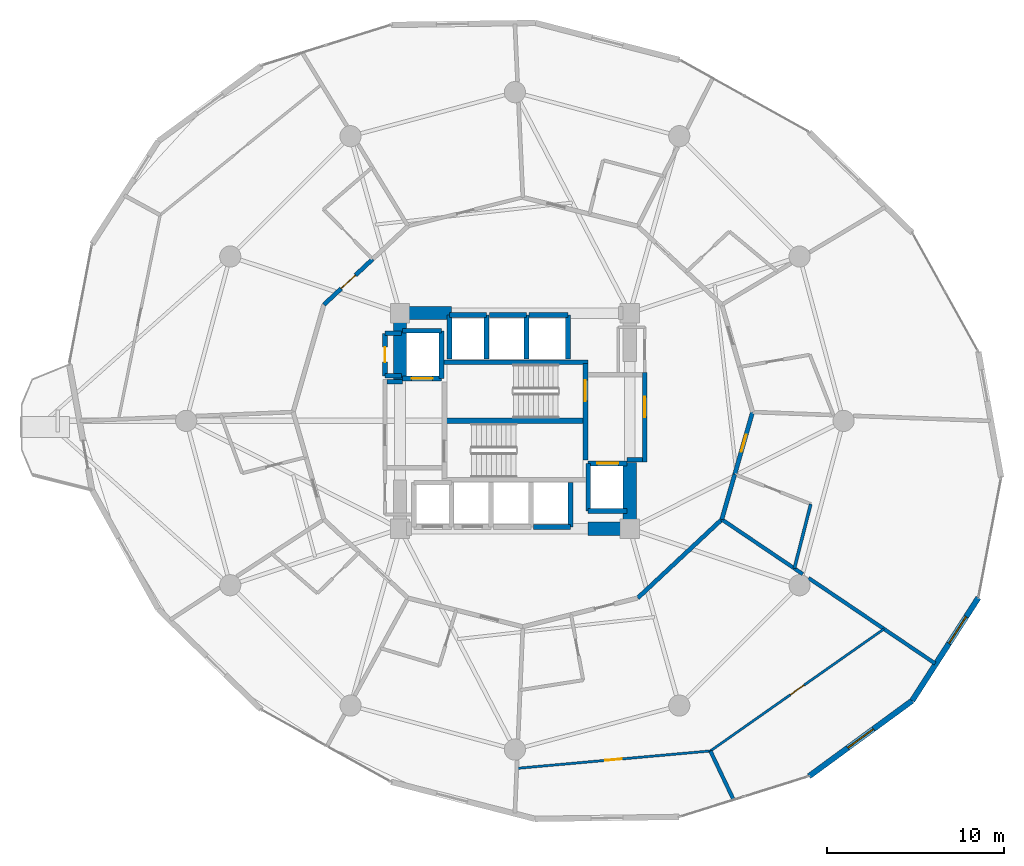
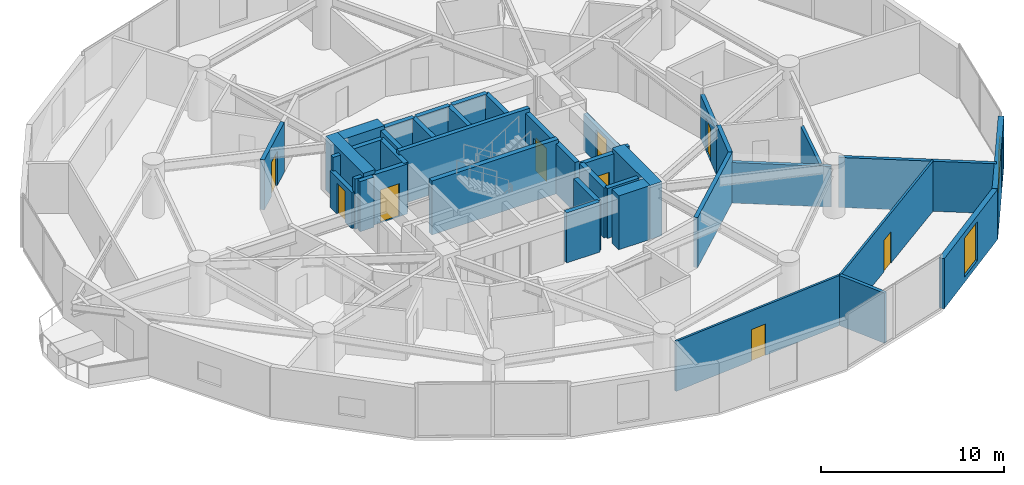
# One storey, part 18 of 22: 40 walls, 9 doors, 2 windows, 11 openings.
"""IFC4 building model written with IfcOpenShell, lengths in metres."""

from ifc_helpers import new_model, si_unit, direction, frame, frame_2d, origin, place, context, subcontext, project, spatial, rectangle, extrude, material, layer, layer_set, type_object, element, fill, save


model = new_model("IFC4")

# Units and contexts
model_context = context("Model", 3, precision=1e-05, world=origin(), true_north=direction((0.0, 1.0)))
body_context = subcontext(model_context, "Body", "Model", "MODEL_VIEW")
ifc_project = project(units=[si_unit("LENGTHUNIT", "METRE"), si_unit("AREAUNIT", "SQUARE_METRE"), si_unit("VOLUMEUNIT", "CUBIC_METRE"), si_unit("PLANEANGLEUNIT", "RADIAN"), si_unit("MASSUNIT", "GRAM", prefix="KILO")], contexts=[model_context])

# Site, building, storey
site_placement = place(None, origin())
site = spatial("IfcSite", under=ifc_project, at=site_placement, CompositionType="ELEMENT")
building_placement = place(site_placement, origin())
building = spatial("IfcBuilding", under=site, at=building_placement, Name="Solvirekh Grand Hotel", CompositionType="ELEMENT")
storey_placement = place(building_placement, frame((0.0, 0.0, 78.800048828125)))
storey = spatial("IfcBuildingStorey", under=building, at=storey_placement, Name="L19", CompositionType="ELEMENT", Elevation=78.800048828125)

# Walls
ifc_material_1 = material(Name="Concrete C50/60", Category="concrete")
ifc_layer_1 = layer(ifc_material_1, 0.35009765625)
ifc_layer_set_1 = layer_set([ifc_layer_1], Name="Concrete C50/60")
wall_type_1 = type_object("IfcWallType", Name="CoreDivWall_RC350", PredefinedType="SOLIDWALL", material=ifc_layer_set_1)
wall_1_placement = place(storey_placement, frame((-4.1298828125, 3.324951171875, 0.0), z_axis=(0.0, 0.0, 1.0), x_axis=(1.0, 0.0, 0.0)))
element("IfcWall", 1, at=wall_1_placement, inside=storey, type_object=wall_type_1, Name="L19 core stair box wall ST-N", PredefinedType="SOLIDWALL", context=body_context, shape_type="SweptSolid", body=[
    extrude(rectangle(XDim=8.259765625, YDim=0.25, at=frame_2d((4.1298828125, 0.0))), origin(), (0.0, 0.0, 1.0), 3.599853515625),
])
ifc_material_2 = material(Name="Concrete C40/50", Category="concrete")
ifc_layer_2 = layer(ifc_material_2, 0.280029296875)
ifc_layer_set_2 = layer_set([ifc_layer_2], Name="Concrete C40/50")
wall_type_2 = type_object("IfcWallType", Name="CoreShaftWall_RC280", PredefinedType="SOLIDWALL", material=ifc_layer_set_2)
wall_2_placement = place(storey_placement, frame((1.050048828125, -6.0, 0.0), z_axis=(0.0, 0.0, 1.0), x_axis=(1.0, 0.0, 0.0)))
element("IfcWall", 2, at=wall_2_placement, inside=storey, type_object=wall_type_2, Name="L19 MP-2 hoistway S wall", PredefinedType="SOLIDWALL", context=body_context, shape_type="SweptSolid", body=[
    extrude(rectangle(XDim=2.099853515625, YDim=0.280029296875, at=frame_2d((1.0498046875, 0.0))), origin(), (0.0, 0.0, 1.0), 3.33984375),
])
wall_3_placement = place(storey_placement, frame((3.14990234375, -6.0, 0.0), z_axis=(0.0, 0.0, 1.0), x_axis=(0.0, 1.0, 0.0)))
element("IfcWall", 3, at=wall_3_placement, inside=storey, type_object=wall_type_2, Name="L19 MP-2 hoistway E wall", PredefinedType="SOLIDWALL", context=body_context, shape_type="SweptSolid", body=[
    extrude(rectangle(XDim=2.5, YDim=0.280029296875, at=frame_2d((1.25, 0.0))), origin(), (0.0, 0.0, 1.0), 3.33984375),
])
wall_4_placement = place(storey_placement, frame((-1.60009765625, 6.0, 0.0), z_axis=(0.0, 0.0, 1.0), x_axis=(-1.0, 0.0, 0.0)))
element("IfcWall", 4, at=wall_4_placement, inside=storey, type_object=wall_type_2, Name="L19 HP-1 hoistway N wall", PredefinedType="SOLIDWALL", context=body_context, shape_type="SweptSolid", body=[
    extrude(rectangle(XDim=2.099853515625, YDim=0.280029296875, at=frame_2d((1.0498046875, 0.0))), origin(), (0.0, 0.0, 1.0), 3.33984375),
])
for number, where, z_axis, x_axis, name in (
    (5, (-3.699951171875, 6.0, 0.0), (0.0, 0.0, 1.0), (0.0, -1.0, 0.0), "L19 HP-1 hoistway W wall"),
    (6, (-1.60009765625, 3.5, 0.0), (0.0, 0.0, 1.0), (0.0, 1.0, 0.0), "L19 HP-1 hoistway E wall"),
):
    element("IfcWall", number, at=place(storey_placement, frame(where, z_axis=z_axis, x_axis=x_axis)), inside=storey, type_object=wall_type_2, Name=name, PredefinedType="SOLIDWALL", context=body_context, shape_type="SweptSolid", body=[
        extrude(rectangle(XDim=2.5, YDim=0.280029296875, at=frame_2d((1.25, 0.0))), origin(), (0.0, 0.0, 1.0), 3.33984375),
    ])
wall_5_placement = place(storey_placement, frame((0.64990234375, 6.0, 0.0), z_axis=(0.0, 0.0, 1.0), x_axis=(-1.0, 0.0, 0.0)))
element("IfcWall", 7, at=wall_5_placement, inside=storey, type_object=wall_type_2, Name="L19 HP-2 hoistway N wall", PredefinedType="SOLIDWALL", context=body_context, shape_type="SweptSolid", body=[
    extrude(rectangle(XDim=2.099853515625, YDim=0.280029296875, at=frame_2d((1.0498046875, 0.0))), origin(), (0.0, 0.0, 1.0), 3.33984375),
])
wall_6_placement = place(storey_placement, frame((0.64990234375, 3.5, 0.0), z_axis=(0.0, 0.0, 1.0), x_axis=(0.0, 1.0, 0.0)))
element("IfcWall", 8, at=wall_6_placement, inside=storey, type_object=wall_type_2, Name="L19 HP-2 hoistway E wall", PredefinedType="SOLIDWALL", context=body_context, shape_type="SweptSolid", body=[
    extrude(rectangle(XDim=2.5, YDim=0.280029296875, at=frame_2d((1.25, 0.0))), origin(), (0.0, 0.0, 1.0), 3.33984375),
])
wall_7_placement = place(storey_placement, frame((3.0, 6.0, 0.0), z_axis=(0.0, 0.0, 1.0), x_axis=(-1.0, 0.0, 0.0)))
element("IfcWall", 9, at=wall_7_placement, inside=storey, type_object=wall_type_2, Name="L19 EX-1 hoistway N wall", PredefinedType="SOLIDWALL", context=body_context, shape_type="SweptSolid", body=[
    extrude(rectangle(XDim=2.199951171875, YDim=0.280029296875, at=frame_2d((1.10009765625, 0.0))), origin(), (0.0, 0.0, 1.0), 3.33984375),
])
wall_8_placement = place(storey_placement, frame((3.0, 3.5, 0.0), z_axis=(0.0, 0.0, 1.0), x_axis=(0.0, 1.0, 0.0)))
element("IfcWall", 10, at=wall_8_placement, inside=storey, type_object=wall_type_2, Name="L19 EX-1 hoistway E wall", PredefinedType="SOLIDWALL", context=body_context, shape_type="SweptSolid", body=[
    extrude(rectangle(XDim=2.5, YDim=0.280029296875, at=frame_2d((1.25, 0.0))), origin(), (0.0, 0.0, 1.0), 3.33984375),
])

# Wall, opening, door
wall_9_placement = place(storey_placement, frame((-6.35009765625, 2.39990234375, 0.0), z_axis=(0.0, 0.0, 1.0), x_axis=(1.0, 0.0, 0.0)))
wall_9 = element("IfcWall", 11, at=wall_9_placement, inside=storey, type_object=wall_type_2, Name="L19 FL-1 hoistway S wall", PredefinedType="SOLIDWALL", context=body_context, shape_type="SweptSolid", body=[
    extrude(rectangle(XDim=2.2001953125, YDim=0.280029296875, at=frame_2d((1.10009765625, 0.0))), origin(), (0.0, 0.0, 1.0), 3.33984375),
])
opening_1_placement = place(wall_9_placement, frame((0.5, 0.0, 0.0)))
opening_1 = element("IfcOpeningElement", 12, at=opening_1_placement, cuts=wall_9, Name="Opening LD02", PredefinedType="OPENING", context=body_context, shape_type="SweptSolid", body=[
    extrude(rectangle(XDim=1.199951171875, YDim=2.199951171875, at=frame_2d((0.60009765625, 1.10009765625))), frame((0.0, 0.14990234375, 0.0), z_axis=(0.0, -1.0, 0.0), x_axis=(1.0, 0.0, 0.0)), (0.0, 0.0, 1.0), 0.300048828125),
])
ifc_material_3 = material(Name="Fire-Rated Steel Door Assembly", Category="steel")
door_type_1 = type_object("IfcDoorType", Name="Door_LiftFF_1200X2200", OperationType="SLIDING_TO_LEFT", PredefinedType="DOOR", material=ifc_material_3)
door_1_placement = place(opening_1_placement, origin())
door_1 = element("IfcDoor", 13, at=door_1_placement, inside=storey, type_object=door_type_1, Name="L19 FL-1 sliding lift landing door", OperationType="SLIDING_TO_LEFT", OverallHeight=2.199951171875, OverallWidth=1.199951171875, PredefinedType="DOOR", context=body_context, shape_type="SweptSolid", body=[
    extrude(rectangle(XDim=1.199951171875, YDim=2.199951171875, at=frame_2d((0.60009765625, 1.10009765625))), frame((0.0, 0.02490234375, 0.0), z_axis=(0.0, -1.0, 0.0), x_axis=(1.0, 0.0, 0.0)), (0.0, 0.0, 1.0), 0.050048828125),
])
fill(opening_1, door_1)

# Walls
wall_10_placement = place(storey_placement, frame((-4.14990234375, 5.10009765625, 0.0), z_axis=(0.0, 0.0, 1.0), x_axis=(-1.0, 0.0, 0.0)))
element("IfcWall", 14, at=wall_10_placement, inside=storey, type_object=wall_type_2, Name="L19 FL-1 hoistway N wall", PredefinedType="SOLIDWALL", context=body_context, shape_type="SweptSolid", body=[
    extrude(rectangle(XDim=2.2001953125, YDim=0.280029296875, at=frame_2d((1.10009765625, 0.0))), origin(), (0.0, 0.0, 1.0), 3.33984375),
])
wall_11_placement = place(storey_placement, frame((-4.14990234375, 2.39990234375, 0.0), z_axis=(0.0, 0.0, 1.0), x_axis=(0.0, 1.0, 0.0)))
element("IfcWall", 15, at=wall_11_placement, inside=storey, type_object=wall_type_2, Name="L19 FL-1 hoistway E wall", PredefinedType="SOLIDWALL", context=body_context, shape_type="SweptSolid", body=[
    extrude(rectangle(XDim=2.7001953125, YDim=0.280029296875, at=frame_2d((1.35009765625, 0.0))), origin(), (0.0, 0.0, 1.0), 3.33984375),
])
wall_12_placement = place(storey_placement, frame((4.14990234375, -5.10009765625, 0.0), z_axis=(0.0, 0.0, 1.0), x_axis=(1.0, 0.0, 0.0)))
element("IfcWall", 16, at=wall_12_placement, inside=storey, type_object=wall_type_2, Name="L19 FL-2 hoistway S wall", PredefinedType="SOLIDWALL", context=body_context, shape_type="SweptSolid", body=[
    extrude(rectangle(XDim=2.2001953125, YDim=0.280029296875, at=frame_2d((1.10009765625, 0.0))), origin(), (0.0, 0.0, 1.0), 3.33984375),
])

# Wall, opening, door
wall_13_placement = place(storey_placement, frame((6.35009765625, -2.39990234375, 0.0), z_axis=(0.0, 0.0, 1.0), x_axis=(-1.0, 0.0, 0.0)))
wall_13 = element("IfcWall", 17, at=wall_13_placement, inside=storey, type_object=wall_type_2, Name="L19 FL-2 hoistway N wall", PredefinedType="SOLIDWALL", context=body_context, shape_type="SweptSolid", body=[
    extrude(rectangle(XDim=2.2001953125, YDim=0.280029296875, at=frame_2d((1.10009765625, 0.0))), origin(), (0.0, 0.0, 1.0), 3.33984375),
])
opening_2_placement = place(wall_13_placement, frame((0.5, 0.0, 0.0)))
opening_2 = element("IfcOpeningElement", 18, at=opening_2_placement, cuts=wall_13, Name="Opening LD02", PredefinedType="OPENING", context=body_context, shape_type="SweptSolid", body=[
    extrude(rectangle(XDim=1.199951171875, YDim=2.199951171875, at=frame_2d((0.60009765625, 1.10009765625))), frame((0.0, 0.14990234375, 0.0), z_axis=(0.0, -1.0, 0.0), x_axis=(1.0, 0.0, 0.0)), (0.0, 0.0, 1.0), 0.300048828125),
])
door_2_placement = place(opening_2_placement, origin())
door_2 = element("IfcDoor", 19, at=door_2_placement, inside=storey, type_object=door_type_1, Name="L19 FL-2 sliding lift landing door", OperationType="SLIDING_TO_LEFT", OverallHeight=2.199951171875, OverallWidth=1.199951171875, PredefinedType="DOOR", context=body_context, shape_type="SweptSolid", body=[
    extrude(rectangle(XDim=1.199951171875, YDim=2.199951171875, at=frame_2d((0.60009765625, 1.10009765625))), frame((0.0, 0.02490234375, 0.0), z_axis=(0.0, -1.0, 0.0), x_axis=(1.0, 0.0, 0.0)), (0.0, 0.0, 1.0), 0.050048828125),
])
fill(opening_2, door_2)

# Wall
wall_14_placement = place(storey_placement, frame((4.14990234375, -2.39990234375, 0.0), z_axis=(0.0, 0.0, 1.0), x_axis=(0.0, -1.0, 0.0)))
element("IfcWall", 20, at=wall_14_placement, inside=storey, type_object=wall_type_2, Name="L19 FL-2 hoistway W wall", PredefinedType="SOLIDWALL", context=body_context, shape_type="SweptSolid", body=[
    extrude(rectangle(XDim=2.7001953125, YDim=0.280029296875, at=frame_2d((1.35009765625, 0.0))), origin(), (0.0, 0.0, 1.0), 3.33984375),
])

# Wall, opening, door
wall_15_placement = place(storey_placement, frame((3.989990234375, -2.2099609375, 0.0), z_axis=(0.0, 0.0, 1.0), x_axis=(0.0, 1.0, 0.0)))
wall_15 = element("IfcWall", 21, at=wall_15_placement, inside=storey, type_object=wall_type_2, Name="L19 east stair landing enclosure wall", PredefinedType="SOLIDWALL", context=body_context, shape_type="SweptSolid", body=[
    extrude(rectangle(XDim=5.4599609375, YDim=0.280029296875, at=frame_2d((2.72998046875, 0.0))), origin(), (0.0, 0.0, 1.0), 3.33984375),
])
opening_3_placement = place(wall_15_placement, frame((3.322998046875, 0.0, 0.0)))
opening_3 = element("IfcOpeningElement", 22, at=opening_3_placement, cuts=wall_15, Name="Opening D05", PredefinedType="OPENING", context=body_context, shape_type="SweptSolid", body=[
    extrude(rectangle(XDim=1.199951171875, YDim=2.199951171875, at=frame_2d((0.60009765625, 1.10009765625))), frame((0.0, 0.14990234375, 0.0), z_axis=(0.0, -1.0, 0.0), x_axis=(1.0, 0.0, 0.0)), (0.0, 0.0, 1.0), 0.300048828125),
])
door_type_2 = type_object("IfcDoorType", Name="Door_StairCore_1200X2200", OperationType="NOTDEFINED", PredefinedType="DOOR", material=ifc_material_3)
door_3_placement = place(opening_3_placement, origin())
door_3 = element("IfcDoor", 23, at=door_3_placement, inside=storey, type_object=door_type_2, Name="L19 exit stair ST-2 fire door", OperationType="SINGLE_SWING_LEFT", OverallHeight=2.199951171875, OverallWidth=1.199951171875, PredefinedType="DOOR", context=body_context, shape_type="SweptSolid", body=[
    extrude(rectangle(XDim=1.199951171875, YDim=2.199951171875, at=frame_2d((0.60009765625, 1.10009765625))), frame((0.0, 0.02490234375, 0.0), z_axis=(0.0, -1.0, 0.0), x_axis=(1.0, 0.0, 0.0)), (0.0, 0.0, 1.0), 0.050048828125),
])
fill(opening_3, door_3)

# Walls
ifc_material_4 = material(Name="Concrete C60/75", Category="concrete")
ifc_layer_3 = layer(ifc_material_4, 0.75)
ifc_layer_set_3 = layer_set([ifc_layer_3], Name="Concrete C60/75")
wall_type_3 = type_object("IfcWallType", Name="CoreWall_RC750", PredefinedType="SHEAR", material=ifc_layer_set_3)
wall_16_placement = place(storey_placement, frame((-3.989990234375, 0.0, 0.0), z_axis=(0.0, 0.0, 1.0), x_axis=(1.0, 0.0, 0.0)))
element("IfcWall", 24, at=wall_16_placement, inside=storey, type_object=wall_type_3, Name="L19 central stair-spine shear wall", PredefinedType="SHEAR", context=body_context, shape_type="SweptSolid", body=[
    extrude(rectangle(XDim=7.97998046875, YDim=0.300048828125, at=frame_2d((3.989990234375, 0.0))), origin(), (0.0, 0.0, 1.0), 3.599853515625),
])
wall_17_placement = place(storey_placement, frame((4.14990234375, -6.10009765625, 0.0), z_axis=(0.0, 0.0, 1.0), x_axis=(1.0, 0.0, 0.0)))
element("IfcWall", 25, at=wall_17_placement, inside=storey, type_object=wall_type_3, Name="L19 core corner shear wall SE-S", PredefinedType="SHEAR", context=body_context, shape_type="SweptSolid", body=[
    extrude(rectangle(XDim=1.97509765625, YDim=0.75, at=frame_2d((0.987548828125, 0.0))), origin(), (0.0, 0.0, 1.0), 3.599853515625),
])
wall_18_placement = place(storey_placement, frame((-6.125, 6.10009765625, 0.0), z_axis=(0.0, 0.0, 1.0), x_axis=(1.0, 0.0, 0.0)))
element("IfcWall", 26, at=wall_18_placement, inside=storey, type_object=wall_type_3, Name="L19 core corner shear wall NW-N", PredefinedType="SHEAR", context=body_context, shape_type="SweptSolid", body=[
    extrude(rectangle(XDim=2.52490234375, YDim=0.75, at=frame_2d((1.262451171875, 0.0))), origin(), (0.0, 0.0, 1.0), 3.599853515625),
])
for number, where, z_axis, x_axis, name in (
    (27, (-6.5, 2.35009765625, 0.0), (0.0, 0.0, 1.0), (0.0, 1.0, 0.0), "L19 core corner shear wall WN-W"),
    (28, (6.5, -6.47509765625, 0.0), (0.0, 0.0, 1.0), (0.0, 1.0, 0.0), "L19 core corner shear wall ES-E"),
):
    element("IfcWall", number, at=place(storey_placement, frame(where, z_axis=z_axis, x_axis=x_axis)), inside=storey, type_object=wall_type_3, Name=name, PredefinedType="SHEAR", context=body_context, shape_type="SweptSolid", body=[
        extrude(rectangle(XDim=4.125, YDim=0.75, at=frame_2d((2.0625, 0.0))), origin(), (0.0, 0.0, 1.0), 3.599853515625),
    ])

# Wall, opening, window
ifc_material_5 = material(Name="Precast concrete C45/55", Category="concrete")
ifc_layer_4 = layer(ifc_material_5, 0.320068359375)
ifc_layer_set_4 = layer_set([ifc_layer_4], Name="Precast concrete C45/55")
wall_type_4 = type_object("IfcWallType", Name="ExtLobbyWall_RC320", PredefinedType="SOLIDWALL", material=ifc_layer_set_4)
wall_19_placement = place(storey_placement, frame((22.47900390625, -15.8330078125, 0.0), z_axis=(0.0, 0.0, 1.0), x_axis=(-0.806720320821, -0.59093343447, 0.0)))
wall_19 = element("IfcWall", 29, at=wall_19_placement, inside=storey, type_object=wall_type_4, Name="L19 exterior structural wall chord 19", PredefinedType="SOLIDWALL", context=body_context, shape_type="SweptSolid", body=[
    extrude(rectangle(XDim=7.234130859375, YDim=0.320068359375, at=frame_2d((3.6171875, 0.0))), origin(), (0.0, 0.0, 1.0), 3.33984375),
])
opening_4_placement = place(wall_19_placement, frame((2.717041015625, 0.0, 0.35009765625)))
opening_4 = element("IfcOpeningElement", 30, at=opening_4_placement, cuts=wall_19, Name="Opening W02", PredefinedType="OPENING", context=body_context, shape_type="SweptSolid", body=[
    extrude(rectangle(XDim=1.800048828125, YDim=2.60009765625, at=frame_2d((0.89990234375, 1.300048828125))), frame((0.0, 0.169921875, 0.0), z_axis=(0.0, -1.0, 0.0), x_axis=(1.0, 0.0, 0.0)), (0.0, 0.0, 1.0), 0.340087890625),
])
ifc_material_6 = material(Name="Low-E Tinted Bronze Laminated Glass", Category="aluminium")
window_type = type_object("IfcWindowType", Name="Win_LobbyExt_1800X2600", PartitioningType="SINGLE_PANEL", PredefinedType="WINDOW", material=ifc_material_6)
window_1_placement = place(opening_4_placement, origin())
window_1 = element("IfcWindow", 31, at=window_1_placement, inside=storey, type_object=window_type, Name="L19 panoramic bronze-framed window 19", OverallHeight=2.60009765625, OverallWidth=1.800048828125, PartitioningType="SINGLE_PANEL", PredefinedType="WINDOW", context=body_context, shape_type="SweptSolid", body=[
    extrude(rectangle(XDim=1.800048828125, YDim=2.60009765625, at=frame_2d((0.89990234375, 1.300048828125))), frame((0.0, 0.030029296875, 0.0), z_axis=(0.0, -1.0, 0.0), x_axis=(1.0, 0.0, 0.0)), (0.0, 0.0, 1.0), 0.06005859375),
])
fill(opening_4, window_1)

wall_20_placement = place(storey_placement, frame((26.22607421875, -10.009033203125, 0.0), z_axis=(0.0, 0.0, 1.0), x_axis=(-0.541072927061, -0.840975675987, 0.0)))
wall_20 = element("IfcWall", 32, at=wall_20_placement, inside=storey, type_object=wall_type_4, Name="L19 exterior structural wall chord 20", PredefinedType="SOLIDWALL", context=body_context, shape_type="SweptSolid", body=[
    extrude(rectangle(XDim=6.92529296875, YDim=0.320068359375, at=frame_2d((3.462646484375, 0.0))), origin(), (0.0, 0.0, 1.0), 3.33984375),
])
opening_5_placement = place(wall_20_placement, frame((1.27587890625, 0.0, 0.35009765625)))
opening_5 = element("IfcOpeningElement", 33, at=opening_5_placement, cuts=wall_20, Name="Opening W02", PredefinedType="OPENING", context=body_context, shape_type="SweptSolid", body=[
    extrude(rectangle(XDim=1.800048828125, YDim=2.60009765625, at=frame_2d((0.89990234375, 1.300048828125))), frame((0.0, 0.169921875, 0.0), z_axis=(0.0, -1.0, 0.0), x_axis=(1.0, 0.0, 0.0)), (0.0, 0.0, 1.0), 0.340087890625),
])
window_2_placement = place(opening_5_placement, origin())
window_2 = element("IfcWindow", 34, at=window_2_placement, inside=storey, type_object=window_type, Name="L19 panoramic bronze-framed window 20", OverallHeight=2.60009765625, OverallWidth=1.800048828125, PartitioningType="SINGLE_PANEL", PredefinedType="WINDOW", context=body_context, shape_type="SweptSolid", body=[
    extrude(rectangle(XDim=1.800048828125, YDim=2.60009765625, at=frame_2d((0.89990234375, 1.300048828125))), frame((0.0, 0.030029296875, 0.0), z_axis=(0.0, -1.0, 0.0), x_axis=(1.0, 0.0, 0.0)), (0.0, 0.0, 1.0), 0.06005859375),
])
fill(opening_5, window_2)

# Wall, opening, door
ifc_material_7 = material(Name="Acoustic Gypsum Partition Assembly")
ifc_layer_5 = layer(ifc_material_7, 0.239990234375)
ifc_layer_set_5 = layer_set([ifc_layer_5], Name="Acoustic Gypsum Partition Assembly")
wall_type_5 = type_object("IfcWallType", Name="Part_Corridor_240", PredefinedType="PARTITIONING", material=ifc_layer_set_5)
wall_21_placement = place(storey_placement, frame((7.35009765625, -2.340087890625, 0.0), z_axis=(0.0, 0.0, 1.0), x_axis=(0.0, 1.0, 0.0)))
wall_21 = element("IfcWall", 35, at=wall_21_placement, inside=storey, type_object=wall_type_5, Name="L19 east firefighting lobby smoke screen wall", PredefinedType="PARTITIONING", context=body_context, shape_type="SweptSolid", body=[
    extrude(rectangle(XDim=5.070068359375, YDim=0.239990234375, at=frame_2d((2.53515625, 0.0))), origin(), (0.0, 0.0, 1.0), 2.425048828125),
])
opening_6_placement = place(wall_21_placement, frame((2.548095703125, 0.0, 0.0)))
opening_6 = element("IfcOpeningElement", 36, at=opening_6_placement, cuts=wall_21, Name="Opening D06", PredefinedType="OPENING", context=body_context, shape_type="SweptSolid", body=[
    extrude(rectangle(XDim=1.14990234375, YDim=2.199951171875, at=frame_2d((0.574951171875, 1.10009765625))), frame((0.0, 0.1298828125, 0.0), z_axis=(0.0, -1.0, 0.0), x_axis=(1.0, 0.0, 0.0)), (0.0, 0.0, 1.0), 0.260009765625),
])
door_type_3 = type_object("IfcDoorType", Name="Door_FFLobby_1150X2200", OperationType="NOTDEFINED", PredefinedType="DOOR", material=ifc_material_3)
door_4_placement = place(opening_6_placement, origin())
door_4 = element("IfcDoor", 37, at=door_4_placement, inside=storey, type_object=door_type_3, Name="L19 east firefighting lobby smoke door", OperationType="SINGLE_SWING_LEFT", OverallHeight=2.199951171875, OverallWidth=1.14990234375, PredefinedType="DOOR", context=body_context, shape_type="SweptSolid", body=[
    extrude(rectangle(XDim=1.14990234375, YDim=2.199951171875, at=frame_2d((0.574951171875, 1.10009765625))), frame((0.0, 0.02490234375, 0.0), z_axis=(0.0, -1.0, 0.0), x_axis=(1.0, 0.0, 0.0)), (0.0, 0.0, 1.0), 0.050048828125),
])
fill(opening_6, door_4)

wall_22_placement = place(storey_placement, frame((-8.048095703125, 9.154052734375, 0.0), z_axis=(0.0, 0.0, 1.0), x_axis=(-0.73064678366, -0.682755649941, 0.0)))
wall_22 = element("IfcWall", 38, at=wall_22_placement, inside=storey, type_object=wall_type_5, Name="L19 Executive Suite 2101 Living Room entrance wall", PredefinedType="PARTITIONING", context=body_context, shape_type="SweptSolid", body=[
    extrude(rectangle(XDim=3.777587890625, YDim=0.239990234375, at=frame_2d((1.888671875, 0.0))), origin(), (0.0, 0.0, 1.0), 3.33984375),
])
opening_7_placement = place(wall_22_placement, frame((1.339111328125, 0.0, 0.0)))
opening_7 = element("IfcOpeningElement", 39, at=opening_7_placement, cuts=wall_22, Name="Opening D08", PredefinedType="OPENING", context=body_context, shape_type="SweptSolid", body=[
    extrude(rectangle(XDim=1.10009765625, YDim=2.300048828125, at=frame_2d((0.550048828125, 1.14990234375))), frame((0.0, 0.1298828125, 0.0), z_axis=(0.0, -1.0, 0.0), x_axis=(1.0, 0.0, 0.0)), (0.0, 0.0, 1.0), 0.260009765625),
])
door_type_4 = type_object("IfcDoorType", Name="Door_SuiteEntry_1100X2300", OperationType="NOTDEFINED", PredefinedType="DOOR", material=ifc_material_3)
door_5_placement = place(opening_7_placement, origin())
door_5 = element("IfcDoor", 40, at=door_5_placement, inside=storey, type_object=door_type_4, Name="L19 Executive Suite 2101 Living Room entrance door", OperationType="SINGLE_SWING_RIGHT", OverallHeight=2.300048828125, OverallWidth=1.10009765625, PredefinedType="DOOR", context=body_context, shape_type="SweptSolid", body=[
    extrude(rectangle(XDim=1.10009765625, YDim=2.300048828125, at=frame_2d((0.550048828125, 1.14990234375))), frame((0.0, 0.02490234375, 0.0), z_axis=(0.0, -1.0, 0.0), x_axis=(1.0, 0.0, 0.0)), (0.0, 0.0, 1.0), 0.050048828125),
])
fill(opening_7, door_5)

# Walls
wall_23_placement = place(storey_placement, frame((6.949951171875, -10.02197265625, 0.0), z_axis=(0.0, 0.0, 1.0), x_axis=(0.730582633102, 0.682824293804, 0.0)))
element("IfcWall", 41, at=wall_23_placement, inside=storey, type_object=wall_type_5, Name="L19 Executive Suite 2105 Living Room corridor wall 1", PredefinedType="PARTITIONING", context=body_context, shape_type="SweptSolid", body=[
    extrude(rectangle(XDim=6.5126953125, YDim=0.239990234375, at=frame_2d((3.25634765625, 0.0))), origin(), (0.0, 0.0, 1.0), 3.33984375),
])
wall_24_placement = place(storey_placement, frame((11.7080078125, -5.574951171875, 0.0), z_axis=(0.0, 0.0, 1.0), x_axis=(0.275790140823, 0.961217872402, 0.0)))
element("IfcWall", 42, at=wall_24_placement, inside=storey, type_object=wall_type_5, Name="L19 En-suite Bathroom 2106 corridor backing wall", PredefinedType="PARTITIONING", context=body_context, shape_type="SweptSolid", body=[
    extrude(rectangle(XDim=2.654052734375, YDim=0.239990234375, at=frame_2d((1.3271484375, 0.0))), origin(), (0.0, 0.0, 1.0), 3.33984375),
])

# Wall, opening, door
wall_25_placement = place(storey_placement, frame((12.43994140625, -3.02392578125, 0.0), z_axis=(0.0, 0.0, 1.0), x_axis=(0.275521481409, 0.961294914832, 0.0)))
wall_25 = element("IfcWall", 43, at=wall_25_placement, inside=storey, type_object=wall_type_5, Name="L19 Deluxe Guestroom 2106 entrance wall", PredefinedType="PARTITIONING", context=body_context, shape_type="SweptSolid", body=[
    extrude(rectangle(XDim=3.665771484375, YDim=0.239990234375, at=frame_2d((1.8330078125, 0.0))), origin(), (0.0, 0.0, 1.0), 2.91796875),
])
opening_8_placement = place(wall_25_placement, frame((1.3330078125, 0.0, 0.0)))
opening_8 = element("IfcOpeningElement", 44, at=opening_8_placement, cuts=wall_25, Name="Opening D07", PredefinedType="OPENING", context=body_context, shape_type="SweptSolid", body=[
    extrude(rectangle(XDim=1.0, YDim=2.199951171875, at=frame_2d((0.5, 1.10009765625))), frame((0.0, 0.1298828125, 0.0), z_axis=(0.0, -1.0, 0.0), x_axis=(1.0, 0.0, 0.0)), (0.0, 0.0, 1.0), 0.260009765625),
])
door_type_5 = type_object("IfcDoorType", Name="Door_GuestEntry_1000X2200", OperationType="NOTDEFINED", PredefinedType="DOOR", material=ifc_material_3)
door_6_placement = place(opening_8_placement, origin())
door_6 = element("IfcDoor", 45, at=door_6_placement, inside=storey, type_object=door_type_5, Name="L19 Deluxe Guestroom 2106 entrance door", OperationType="SINGLE_SWING_RIGHT", OverallHeight=2.199951171875, OverallWidth=1.0, PredefinedType="DOOR", context=body_context, shape_type="SweptSolid", body=[
    extrude(rectangle(XDim=1.0, YDim=2.199951171875, at=frame_2d((0.5, 1.10009765625))), frame((0.0, 0.02490234375, 0.0), z_axis=(0.0, -1.0, 0.0), x_axis=(1.0, 0.0, 0.0)), (0.0, 0.0, 1.0), 0.050048828125),
])
fill(opening_8, door_6)

# Walls
ifc_layer_6 = layer(ifc_material_7, 0.260009765625)
ifc_layer_set_6 = layer_set([ifc_layer_6], Name="Acoustic Gypsum Partition Assembly")
wall_type_6 = type_object("IfcWallType", Name="Part_LobbyFF_260", PredefinedType="PARTITIONING", material=ifc_layer_set_6)
for number, where, z_axis, x_axis, name in (
    (46, (-7.22509765625, 2.2099609375, 0.0), (0.0, 0.0, 1.0), (1.0, 0.0, 0.0), "L19 west firefighting lobby NW cheek"),
    (47, (6.35009765625, -2.2099609375, 0.0), (0.0, 0.0, 1.0), (1.0, 0.0, 0.0), "L19 east firefighting lobby SE cheek"),
):
    element("IfcWall", number, at=place(storey_placement, frame(where, z_axis=z_axis, x_axis=x_axis)), inside=storey, type_object=wall_type_6, Name=name, PredefinedType="PARTITIONING", context=body_context, shape_type="SweptSolid", body=[
        extrude(rectangle(XDim=0.875, YDim=0.260009765625, at=frame_2d((0.4375, 0.0))), origin(), (0.0, 0.0, 1.0), 3.33984375),
    ])
for number, where, z_axis, x_axis, name in (
    (48, (-7.35009765625, 4.949951171875, 0.0), (0.0, 0.0, 1.0), (1.0, 0.0, 0.0), "L19 NW telecom metering cupboard north wall"),
    (49, (-7.35009765625, 2.550048828125, 0.0), (0.0, 0.0, 1.0), (1.0, 0.0, 0.0), "L19 NW telecom metering cupboard south wall"),
):
    element("IfcWall", number, at=place(storey_placement, frame(where, z_axis=z_axis, x_axis=x_axis)), inside=storey, type_object=wall_type_6, Name=name, PredefinedType="PARTITIONING", context=body_context, shape_type="SweptSolid", body=[
        extrude(rectangle(XDim=0.93017578125, YDim=0.260009765625, at=frame_2d((0.465087890625, 0.0))), origin(), (0.0, 0.0, 1.0), 3.33984375),
    ])

# Wall, opening, door
wall_26_placement = place(storey_placement, frame((-7.35009765625, 2.550048828125, 0.0), z_axis=(0.0, 0.0, 1.0), x_axis=(0.0, 1.0, 0.0)))
wall_26 = element("IfcWall", 50, at=wall_26_placement, inside=storey, type_object=wall_type_6, Name="L19 NW telecom metering cupboard access wall", PredefinedType="PARTITIONING", context=body_context, shape_type="SweptSolid", body=[
    extrude(rectangle(XDim=2.39990234375, YDim=0.260009765625, at=frame_2d((1.199951171875, 0.0))), origin(), (0.0, 0.0, 1.0), 2.425048828125),
])
opening_9_placement = place(wall_26_placement, frame((0.77490234375, 0.0, 0.0)))
opening_9 = element("IfcOpeningElement", 51, at=opening_9_placement, cuts=wall_26, Name="Opening D13", PredefinedType="OPENING", context=body_context, shape_type="SweptSolid", body=[
    extrude(rectangle(XDim=0.85009765625, YDim=2.050048828125, at=frame_2d((0.425048828125, 1.02490234375))), frame((0.0, 0.14013671875, 0.0), z_axis=(0.0, -1.0, 0.0), x_axis=(1.0, 0.0, 0.0)), (0.0, 0.0, 1.0), 0.280029296875),
])
door_type_6 = type_object("IfcDoorType", Name="Door_RiserShaft_850X2050", OperationType="NOTDEFINED", PredefinedType="DOOR", material=ifc_material_3)
door_7_placement = place(opening_9_placement, origin())
door_7 = element("IfcDoor", 52, at=door_7_placement, inside=storey, type_object=door_type_6, Name="L19 telecom metering cupboard access door", OperationType="SINGLE_SWING_RIGHT", OverallHeight=2.050048828125, OverallWidth=0.85009765625, PredefinedType="DOOR", context=body_context, shape_type="SweptSolid", body=[
    extrude(rectangle(XDim=0.85009765625, YDim=2.050048828125, at=frame_2d((0.425048828125, 1.02490234375))), frame((0.0, 0.02490234375, 0.0), z_axis=(0.0, -1.0, 0.0), x_axis=(1.0, 0.0, 0.0)), (0.0, 0.0, 1.0), 0.050048828125),
])
fill(opening_9, door_7)

ifc_layer_7 = layer(ifc_material_7, 0.135009765625)
ifc_layer_set_7 = layer_set([ifc_layer_7], Name="Acoustic Gypsum Partition Assembly")
wall_type_7 = type_object("IfcWallType", Name="Part_RoomInt_135", PredefinedType="PARTITIONING", material=ifc_layer_set_7)
wall_27_placement = place(storey_placement, frame((0.10791015625, -19.662109375, 0.0), z_axis=(0.0, 0.0, 1.0), x_axis=(0.995980619594, 0.089568997951, 0.0)))
wall_27 = element("IfcWall", 53, at=wall_27_placement, inside=storey, type_object=wall_type_7, Name="L19 Executive Suite 2105 Living Room bedroom screen wall", PredefinedType="PARTITIONING", context=body_context, shape_type="SweptSolid", body=[
    extrude(rectangle(XDim=10.998291015625, YDim=0.135009765625, at=frame_2d((5.4990234375, 0.0))), origin(), (0.0, 0.0, 1.0), 3.33984375),
])
opening_10_placement = place(wall_27_placement, frame((5.02392578125, 0.0, 0.0)))
opening_10 = element("IfcOpeningElement", 54, at=opening_10_placement, cuts=wall_27, Name="Opening D10", PredefinedType="OPENING", context=body_context, shape_type="SweptSolid", body=[
    extrude(rectangle(XDim=0.949951171875, YDim=2.10009765625, at=frame_2d((0.47509765625, 1.050048828125))), frame((0.0, 0.07763671875, 0.0), z_axis=(0.0, -1.0, 0.0), x_axis=(1.0, 0.0, 0.0)), (0.0, 0.0, 1.0), 0.155029296875),
])
ifc_material_8 = material(Name="Anodized Bronze Aluminium 6063-T6", Category="aluminium")
door_type_7 = type_object("IfcDoorType", Name="Door_RoomInt_950X2100", OperationType="NOTDEFINED", PredefinedType="DOOR", material=ifc_material_8)
door_8_placement = place(opening_10_placement, origin())
door_8 = element("IfcDoor", 55, at=door_8_placement, inside=storey, type_object=door_type_7, Name="L19 Executive Suite 2105 Living Room master bedroom door", OperationType="SINGLE_SWING_LEFT", OverallHeight=2.10009765625, OverallWidth=0.949951171875, PredefinedType="DOOR", context=body_context, shape_type="SweptSolid", body=[
    extrude(rectangle(XDim=0.949951171875, YDim=2.10009765625, at=frame_2d((0.47509765625, 1.050048828125))), frame((0.0, 0.02490234375, 0.0), z_axis=(0.0, -1.0, 0.0), x_axis=(1.0, 0.0, 0.0)), (0.0, 0.0, 1.0), 0.050048828125),
])
fill(opening_10, door_8)

wall_28_placement = place(storey_placement, frame((11.06201171875, -18.677001953125, 0.0), z_axis=(0.0, 0.0, 1.0), x_axis=(0.818201778995, 0.574931168793, 0.0)))
wall_28 = element("IfcWall", 56, at=wall_28_placement, inside=storey, type_object=wall_type_7, Name="L19 Executive Suite 2105 Panorama Suite Study bedroom screen wall", PredefinedType="PARTITIONING", context=body_context, shape_type="SweptSolid", body=[
    extrude(rectangle(XDim=12.0068359375, YDim=0.135009765625, at=frame_2d((6.00341796875, 0.0))), origin(), (0.0, 0.0, 1.0), 3.33984375),
])
opening_11_placement = place(wall_28_placement, frame((5.528076171875, 0.0, 0.0)))
opening_11 = element("IfcOpeningElement", 57, at=opening_11_placement, cuts=wall_28, Name="Opening D10", PredefinedType="OPENING", context=body_context, shape_type="SweptSolid", body=[
    extrude(rectangle(XDim=0.949951171875, YDim=2.10009765625, at=frame_2d((0.47509765625, 1.050048828125))), frame((0.0, 0.07763671875, 0.0), z_axis=(0.0, -1.0, 0.0), x_axis=(1.0, 0.0, 0.0)), (0.0, 0.0, 1.0), 0.155029296875),
])
door_9_placement = place(opening_11_placement, origin())
door_9 = element("IfcDoor", 58, at=door_9_placement, inside=storey, type_object=door_type_7, Name="L19 Executive Suite 2105 Panorama Suite Study master bedroom door", OperationType="SINGLE_SWING_RIGHT", OverallHeight=2.10009765625, OverallWidth=0.949951171875, PredefinedType="DOOR", context=body_context, shape_type="SweptSolid", body=[
    extrude(rectangle(XDim=0.949951171875, YDim=2.10009765625, at=frame_2d((0.47509765625, 1.050048828125))), frame((0.0, 0.02490234375, 0.0), z_axis=(0.0, -1.0, 0.0), x_axis=(1.0, 0.0, 0.0)), (0.0, 0.0, 1.0), 0.050048828125),
])
fill(opening_11, door_9)

# Walls
ifc_layer_8 = layer(ifc_material_7, 0.2099609375)
ifc_layer_set_8 = layer_set([ifc_layer_8], Name="Acoustic Gypsum Partition Assembly")
wall_type_8 = type_object("IfcWallType", Name="Part_SuiteDemise_210", PredefinedType="PARTITIONING", material=ifc_layer_set_8)
wall_29_placement = place(storey_placement, frame((11.7080078125, -5.574951171875, 0.0), z_axis=(0.0, 0.0, 1.0), x_axis=(0.828701284617, -0.559691147754, 0.0)))
element("IfcWall", 59, at=wall_29_placement, inside=storey, type_object=wall_type_8, Name="L19 suite radial wall 12 (A)", PredefinedType="PARTITIONING", context=body_context, shape_type="SweptSolid", body=[
    extrude(rectangle(XDim=5.531494140625, YDim=0.2099609375, at=frame_2d((2.765625, 0.0))), origin(), (0.0, 0.0, 1.0), 2.7080078125),
])
wall_30_placement = place(storey_placement, frame((16.623046875, -8.89501953125, 0.0), z_axis=(0.0, 0.0, 1.0), x_axis=(0.828723201791, -0.559658694933, 0.0)))
element("IfcWall", 60, at=wall_30_placement, inside=storey, type_object=wall_type_8, Name="L19 suite radial wall 12 (B)", PredefinedType="PARTITIONING", context=body_context, shape_type="SweptSolid", body=[
    extrude(rectangle(XDim=8.640869140625, YDim=0.2099609375, at=frame_2d((4.3203125, 0.0))), origin(), (0.0, 0.0, 1.0), 3.33984375),
])
wall_31_placement = place(storey_placement, frame((11.06201171875, -18.677001953125, 0.0), z_axis=(0.0, 0.0, 1.0), x_axis=(0.429310241151, -0.90315708315, 0.0)))
element("IfcWall", 61, at=wall_31_placement, inside=storey, type_object=wall_type_8, Name="L19 Executive Suite 2105 Living Room dividing partition 1", PredefinedType="PARTITIONING", context=body_context, shape_type="SweptSolid", body=[
    extrude(rectangle(XDim=3.02587890625, YDim=0.2099609375, at=frame_2d((1.512939453125, 0.0))), origin(), (0.0, 0.0, 1.0), 3.33984375),
])
ifc_layer_9 = layer(ifc_material_7, 0.175048828125)
ifc_layer_set_9 = layer_set([ifc_layer_9], Name="Acoustic Gypsum Partition Assembly")
wall_type_9 = type_object("IfcWallType", Name="Plumb_Ensuite_175", PredefinedType="PLUMBINGWALL", material=ifc_layer_set_9)
wall_32_placement = place(storey_placement, frame((15.81396484375, -8.347900390625, 0.0), z_axis=(0.0, 0.0, 1.0), x_axis=(0.246795691718, 0.969067534566, 0.0)))
element("IfcWall", 62, at=wall_32_placement, inside=storey, type_object=wall_type_9, Name="L19 En-suite Bathroom 2106 outer plumbing wall", PredefinedType="PLUMBINGWALL", context=body_context, shape_type="SweptSolid", body=[
    extrude(rectangle(XDim=3.760009765625, YDim=0.175048828125, at=frame_2d((1.8798828125, 0.0))), origin(), (0.0, 0.0, 1.0), 2.79296875),
])

save(model, "model.ifc")
